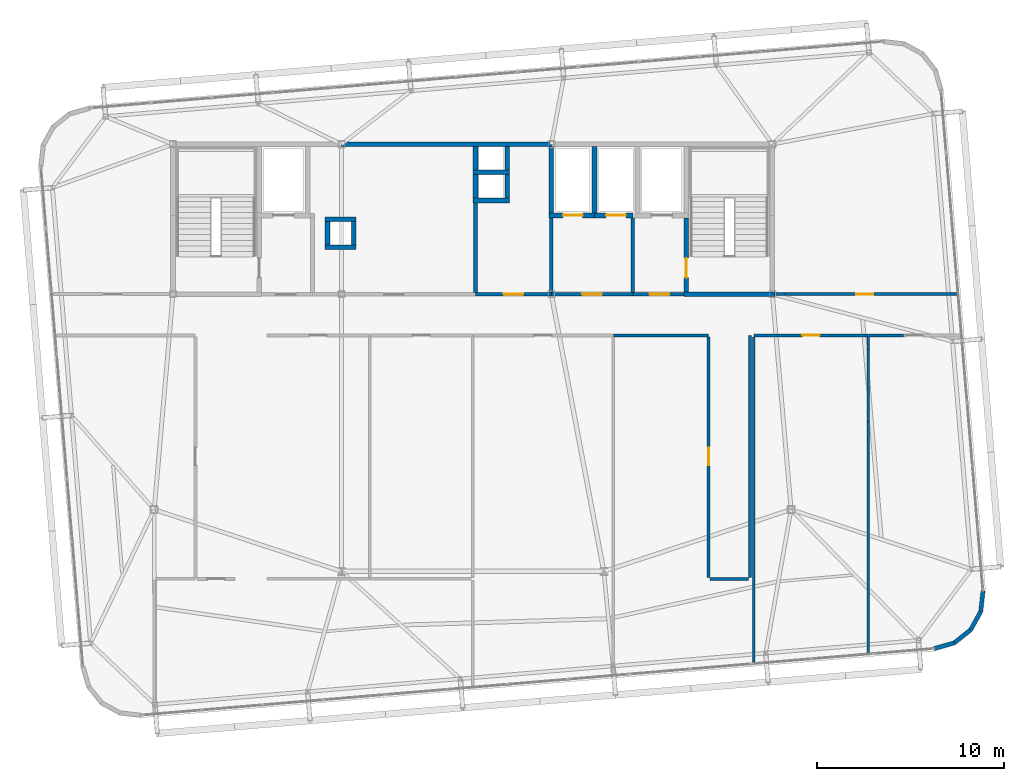
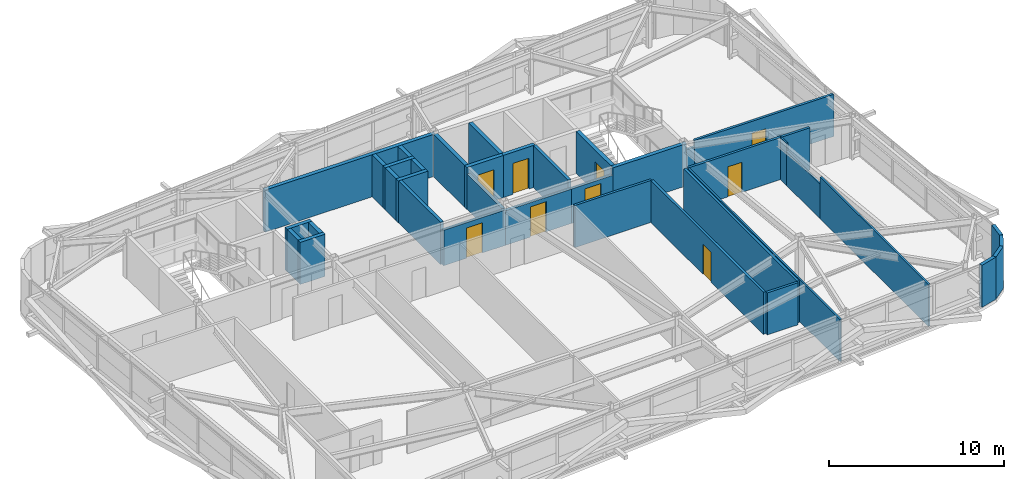
# One storey, part 43 of 46: 39 walls, 9 doors, 9 openings.
"""IFC4 building model written with IfcOpenShell, lengths in metres."""

import ifcopenshell
import ifcopenshell.guid

model = None  # the IFC model being written
_history = None  # IfcOwnerHistory: only IFC2X3 demands one
_inside = {}  # id of a spatial element -> (the spatial element, [elements in it])
_under = {}  # id of a project, library or spatial element -> (it, [spatial elements below it])
_declared = {}  # id of a project -> (the project, [libraries it declares])
_typed = {}  # id of a type object -> (the type object, [elements of that type])
_made_of = {}  # id of a material, layer set ... -> (it, [elements and type objects made of it])


def new_model(schema):
    """Start an empty IFC model of exactly this schema.

    Asked for "IFC4X3", IfcOpenShell would pick the latest addendum, in which some entities
    have other attributes; the version numbers below select the first issue.
    IFC2X3 requires an IfcOwnerHistory on every rooted entity: one is made here for all.
    """
    global model, _history
    if schema == "IFC4X3":
        model = ifcopenshell.file(schema_version=(4, 3, 0, 0))
    else:
        model = ifcopenshell.file(schema=schema)
    _inside.clear()
    _under.clear()
    _declared.clear()
    _typed.clear()
    _made_of.clear()
    _history = None
    if model.schema == "IFC2X3":
        org = make("IfcOrganization", Name="unknown")
        user = make(
            "IfcPersonAndOrganization",
            ThePerson=make("IfcPerson", FamilyName="unknown"),
            TheOrganization=org,
        )
        app = make(
            "IfcApplication",
            ApplicationDeveloper=org,
            Version="unknown",
            ApplicationFullName="unknown",
            ApplicationIdentifier="unknown",
        )
        _history = make(
            "IfcOwnerHistory",
            OwningUser=user,
            OwningApplication=app,
            ChangeAction="ADDED",
            CreationDate=0,
        )
    return model


def make(cls, **values):
    """One entity of the class cls with the attributes given. An attribute that is None is left unset."""
    return model.create_entity(
        cls, **{name: value for name, value in values.items() if value is not None}
    )


def rooted(cls, **values):
    """An entity with a GlobalId (a new one), such as an element, a storey or a relation."""
    return make(cls, GlobalId=ifcopenshell.guid.new(), OwnerHistory=_history, **values)


def si_unit(unit_type, name, prefix=None):
    """IfcSIUnit, for example si_unit("LENGTHUNIT", "METRE", prefix="MILLI")."""
    return make("IfcSIUnit", UnitType=unit_type, Prefix=prefix, Name=name)


def assignment(units):
    """IfcUnitAssignment: the units of a project."""
    return None if units is None else make("IfcUnitAssignment", Units=units)


def point(xyz):
    """IfcCartesianPoint."""
    return None if xyz is None else make("IfcCartesianPoint", Coordinates=xyz)


def direction(xyz):
    """IfcDirection."""
    return None if xyz is None else make("IfcDirection", DirectionRatios=xyz)


def frame(location, z_axis=None, x_axis=None):
    """IfcAxis2Placement3D, a coordinate frame: its origin and axes. An axis left out is left unset."""
    return make(
        "IfcAxis2Placement3D",
        Location=point(location),
        Axis=direction(z_axis),
        RefDirection=direction(x_axis),
    )


def frame_2d(location, x_axis=None):
    """IfcAxis2Placement2D, a coordinate frame in the plane: its origin and x axis."""
    return make(
        "IfcAxis2Placement2D", Location=point(location), RefDirection=direction(x_axis)
    )


def origin():
    """The frame at (0, 0, 0) with its axes left unset."""
    return frame((0.0, 0.0, 0.0))


def place(relative_to, where):
    """IfcLocalPlacement: puts the frame where relative to a parent placement (None: the world)."""
    return make(
        "IfcLocalPlacement", PlacementRelTo=relative_to, RelativePlacement=where
    )


def context(
    kind, dimensions, precision=None, world=None, true_north=None, identifier=None
):
    """IfcGeometricRepresentationContext, for example the 3D "Model" context."""
    return make(
        "IfcGeometricRepresentationContext",
        ContextIdentifier=identifier,
        ContextType=kind,
        CoordinateSpaceDimension=dimensions,
        Precision=precision,
        WorldCoordinateSystem=world,
        TrueNorth=true_north,
    )


def subcontext(parent, identifier, kind, view, scale=None):
    """IfcGeometricRepresentationSubContext, for example "Body" below "Model"."""
    return make(
        "IfcGeometricRepresentationSubContext",
        ContextIdentifier=identifier,
        ContextType=kind,
        ParentContext=parent,
        TargetScale=scale,
        TargetView=view,
    )


def project(units=None, contexts=None):
    """IfcProject with its units and contexts."""
    return rooted(
        "IfcProject",
        Name="project",
        RepresentationContexts=contexts,
        UnitsInContext=assignment(units),
    )


def spatial(cls, under=None, at=None, **own):
    """A site, building, storey or space (cls), placed at a placement, below another one or the project."""
    s = rooted(cls, ObjectPlacement=at, **own)
    if under is not None:
        _under.setdefault(under.id(), (under, []))[1].append(s)
    return s


def profile(cls, at=None, kind="AREA", **sizes):
    """A parametric profile (cls). Its sizes go by their IFC names, for example OverallWidth=200.0."""
    return make(cls, ProfileType=kind, Position=at, **sizes)


def rectangle(**sizes):
    """IfcRectangleProfileDef."""
    return profile("IfcRectangleProfileDef", **sizes)


def extrude(swept, where, along, depth):
    """IfcExtrudedAreaSolid: the profile swept, set in the frame where, extruded along a direction by depth."""
    return make(
        "IfcExtrudedAreaSolid",
        SweptArea=swept,
        Position=where,
        ExtrudedDirection=direction(along),
        Depth=depth,
    )


def shape(context_of_items, identifier, shape_type, items):
    """IfcShapeRepresentation: the items that make up one representation, for example the "Body"."""
    return make(
        "IfcShapeRepresentation",
        ContextOfItems=context_of_items,
        RepresentationIdentifier=identifier,
        RepresentationType=shape_type,
        Items=items,
    )


def source(mapping_origin, context_of_items, identifier, shape_type, items):
    """IfcRepresentationMap: a shape defined once, which mapped items show again and again."""
    return make(
        "IfcRepresentationMap",
        MappingOrigin=mapping_origin,
        MappedRepresentation=shape(context_of_items, identifier, shape_type, items),
    )


def transform(
    local_origin,
    x_axis=None,
    y_axis=None,
    z_axis=None,
    scale=None,
    scale2=None,
    scale3=None,
    uniform=True,
):
    """IfcCartesianTransformationOperator3D, or its non-uniform kind. x_axis, y_axis, z_axis: its Axis1, 2, 3."""
    if uniform:
        return make(
            "IfcCartesianTransformationOperator3D",
            Axis1=direction(x_axis),
            Axis2=direction(y_axis),
            LocalOrigin=point(local_origin),
            Scale=scale,
            Axis3=direction(z_axis),
        )
    return make(
        "IfcCartesianTransformationOperator3DnonUniform",
        Axis1=direction(x_axis),
        Axis2=direction(y_axis),
        LocalOrigin=point(local_origin),
        Scale=scale,
        Axis3=direction(z_axis),
        Scale2=scale2,
        Scale3=scale3,
    )


def mapped(mapping_source, mapping_target):
    """IfcMappedItem: shows the shape of a source again, moved by a transform."""
    return make(
        "IfcMappedItem", MappingSource=mapping_source, MappingTarget=mapping_target
    )


def material(Name=None, Category=None):
    """IfcMaterial."""
    return make("IfcMaterial", Name=Name, Category=Category)


def layer(
    of_material, thickness, ventilated=None, Name=None, Category=None, Priority=None
):
    """IfcMaterialLayer: one layer of a wall or slab, of a material (None: an air gap)."""
    return make(
        "IfcMaterialLayer",
        Material=of_material,
        LayerThickness=thickness,
        IsVentilated=ventilated,
        Name=Name,
        Category=Category,
        Priority=Priority,
    )


def layer_set(layers, Name=None):
    """IfcMaterialLayerSet."""
    return make("IfcMaterialLayerSet", MaterialLayers=layers, LayerSetName=Name)


def made_of(thing, what):
    """Note that an element or type object is made of a material, layer set ...; save() writes the relation."""
    if what is not None:
        _made_of.setdefault(what.id(), (what, []))[1].append(thing)
    return thing


def type_object(cls, material=None, **own):
    """A type object (cls), such as IfcWallType, which elements share."""
    return made_of(rooted(cls, **own), material)


def element(
    cls,
    number,
    at=None,
    inside=None,
    cuts=None,
    type_object=None,
    material=None,
    context=None,
    identifier="Body",
    shape_type=None,
    held_by="IfcProductDefinitionShape",
    body=None,
    shapes=None,
    **own,
):
    """One element of the class cls, such as IfcWall. Its Tag is "e" and its number.

    at: its placement. inside: the storey or other place that contains it. cuts: it is an
    opening in that element (IfcRelVoidsElement). A single representation is given by context,
    identifier, shape_type and body (its items); several are given by shapes. held_by: the class
    of the entity that holds the representations. save() writes the other relations.
    """
    e = rooted(cls, Tag="e%d" % number, ObjectPlacement=at, **own)
    if body is not None:
        shapes = [shape(context, identifier, shape_type, body)]
    if shapes is not None:
        e.Representation = make(held_by, Representations=shapes)
    if inside is not None:
        _inside.setdefault(inside.id(), (inside, []))[1].append(e)
    if cuts is not None:
        rooted(
            "IfcRelVoidsElement", RelatingBuildingElement=cuts, RelatedOpeningElement=e
        )
    if type_object is not None:
        _typed.setdefault(type_object.id(), (type_object, []))[1].append(e)
    return made_of(e, material)


def fill(opening, filler):
    """IfcRelFillsElement: the door or window that sits in an opening."""
    return rooted(
        "IfcRelFillsElement",
        RelatingOpeningElement=opening,
        RelatedBuildingElement=filler,
    )


def aggregate(whole, parts):
    """IfcRelAggregates: a whole, such as a stair, and the parts it consists of."""
    return rooted("IfcRelAggregates", RelatingObject=whole, RelatedObjects=parts)


def save(model, path):
    """Write the relations noted so far, then the file.

    IfcRelAggregates (storeys below a building ...), IfcRelContainedInSpatialStructure (elements
    in a storey), IfcRelDefinesByType, IfcRelAssociatesMaterial and IfcRelDeclares: one each for
    every whole, place, type object, material and project.
    """
    for whole, parts in _under.values():
        aggregate(whole, parts)
    for where, things in _inside.values():
        rooted(
            "IfcRelContainedInSpatialStructure",
            RelatedElements=things,
            RelatingStructure=where,
        )
    for kind, things in _typed.values():
        rooted("IfcRelDefinesByType", RelatedObjects=things, RelatingType=kind)
    for what, things in _made_of.values():
        rooted("IfcRelAssociatesMaterial", RelatedObjects=things, RelatingMaterial=what)
    for by, libraries in _declared.values():
        rooted("IfcRelDeclares", RelatingContext=by, RelatedDefinitions=libraries)
    model.write(path)


model = new_model("IFC4")

# Units and contexts
model_context = context("Model", 3, precision=1e-05, world=origin(), true_north=direction((0.0, 1.0)))
body_context = subcontext(model_context, "Body", "Model", "MODEL_VIEW")
ifc_project = project(units=[si_unit("LENGTHUNIT", "METRE"), si_unit("AREAUNIT", "SQUARE_METRE"), si_unit("VOLUMEUNIT", "CUBIC_METRE"), si_unit("PLANEANGLEUNIT", "RADIAN"), si_unit("MASSUNIT", "GRAM", prefix="KILO")], contexts=[model_context])

# Site, building, storey
site_placement = place(None, origin())
site = spatial("IfcSite", under=ifc_project, at=site_placement, CompositionType="ELEMENT")
building_placement = place(site_placement, origin())
building = spatial("IfcBuilding", under=site, at=building_placement, Name="Taldren Reach Tower", CompositionType="ELEMENT")
storey_placement = place(building_placement, frame((0.0, 0.0, 188.300048828125)))
storey = spatial("IfcBuildingStorey", under=building, at=storey_placement, Name="L57", CompositionType="ELEMENT", Elevation=188.300048828125)

# Walls
ifc_material_1 = material(Name="Pale Champagne Anodised Aluminium Cladding", Category="aluminium")
ifc_layer_1 = layer(ifc_material_1, 0.04, Name="Pale Champagne Anodised Aluminium Cladding", Category="aluminium")
ifc_material_2 = material(Name="Mineral Wool Acoustic Insulation", Category="insulation")
ifc_layer_2 = layer(ifc_material_2, 0.06, Name="Mineral Wool Acoustic Insulation", Category="insulation")
ifc_material_3 = material(Name="Steel Gr 350 (C350L0)", Category="steel")
ifc_layer_3 = layer(ifc_material_3, 0.12, Name="Steel Gr 350 (C350L0)", Category="steel")
ifc_layer_set_1 = layer_set([ifc_layer_1, ifc_layer_2, ifc_layer_3], Name="Pale Champagne Aluminium Cladding and Steel Gr 350 Stud Framing")
wall_type_1 = type_object("IfcWallType", Name="EW-CRN-220", PredefinedType="SOLIDWALL", material=ifc_layer_set_1)
shared_shape_1 = source(origin(), body_context, "Body", "SweptSolid", [
    extrude(rectangle(XDim=1.115966796875, YDim=0.219970703125, at=frame_2d((0.55810546875, 0.0))), origin(), (0.0, 0.0, 1.0), 2.929931640625),
])
for number, where, z_axis, x_axis, name in (
    (1, (59.635986328125, 5.0751953125, 0.0), (0.0, 0.0, 1.0), (0.961010464297, 0.276512002475, 0.0), "Rounded-corner pale-metal facade wall L57-SE1"),
    (2, (60.70849609375, 5.3837890625, 0.0), (0.0, 0.0, 1.0), (0.782147847222, 0.623092886403, 0.0), "Rounded-corner pale-metal facade wall L57-SE2"),
    (3, (61.581298828125, 6.0791015625, 0.0), (0.0, 0.0, 1.0), (0.483933071672, 0.875105012065, 0.0), "Rounded-corner pale-metal facade wall L57-SE3"),
    (4, (62.121337890625, 7.0556640625, 0.0), (0.0, 0.0, 1.0), (0.112448259968, 0.993657581277, 0.0), "Rounded-corner pale-metal facade wall L57-SE4"),
):
    element("IfcWall", number, at=place(storey_placement, frame(where, z_axis=z_axis, x_axis=x_axis)), inside=storey, type_object=wall_type_1, Name=name, PredefinedType="SOLIDWALL", context=body_context, shape_type="MappedRepresentation", body=[
        mapped(shared_shape_1, transform((0.0, 0.0, 0.0), scale=1.0)),
    ])

# Wall, opening, door
ifc_material_4 = material(Name="Concrete S50 (50 MPa)", Category="concrete")
ifc_layer_4 = layer(ifc_material_4, 0.199951171875)
ifc_layer_set_2 = layer_set([ifc_layer_4], Name="Concrete S50 (50 MPa)")
wall_type_2 = type_object("IfcWallType", Name="IW-CORE-200", PredefinedType="SOLIDWALL", material=ifc_layer_set_2)
shared_shape_2 = source(origin(), body_context, "Body", "SweptSolid", [
    extrude(rectangle(XDim=4.35009765625, YDim=0.199951171875, at=frame_2d((2.175048828125, 0.0))), origin(), (0.0, 0.0, 1.0), 2.39697265625),
])
wall_1_placement = place(storey_placement, frame((43.550048828125, 24.0, 0.0), z_axis=(0.0, 0.0, 1.0), x_axis=(-1.0, 0.0, 0.0)))
wall_1 = element("IfcWall", 5, at=wall_1_placement, inside=storey, type_object=wall_type_2, Name="Rear Core Shear Wall W-INT-L57-030", PredefinedType="SOLIDWALL", context=body_context, shape_type="MappedRepresentation", body=[
    mapped(shared_shape_2, transform((0.0, 0.0, 0.0), scale=1.0)),
])
shared_shape_3 = source(origin(), body_context, "Body", "SweptSolid", [
    extrude(rectangle(XDim=1.050048828125, YDim=2.10009765625, at=frame_2d((0.52490234375, 1.050048828125))), frame((0.0, 0.10986328125, 0.0), z_axis=(0.0, -1.0, 0.0), x_axis=(1.0, 0.0, 0.0)), (0.0, 0.0, 1.0), 0.219970703125),
])
opening_1_placement = place(wall_1_placement, frame((1.64990234375, 0.0, 0.0)))
opening_1 = element("IfcOpeningElement", 6, at=opening_1_placement, cuts=wall_1, Name="Opening DF-105", PredefinedType="OPENING", context=body_context, shape_type="MappedRepresentation", body=[
    mapped(shared_shape_3, transform((0.0, 0.0, 0.0), scale=1.0)),
])
ifc_material_5 = material(Name="Fire-Rated Care and Stair Exit Door")
door_type_1 = type_object("IfcDoorType", Name="ID-FIRE-105", OperationType="NOTDEFINED", PredefinedType="DOOR", material=ifc_material_5)
shared_shape_4 = source(origin(), body_context, "Body", "SweptSolid", [
    extrude(rectangle(XDim=1.050048828125, YDim=2.10009765625, at=frame_2d((0.52490234375, 1.050048828125))), frame((0.0, 0.02490234375, 0.0), z_axis=(0.0, -1.0, 0.0), x_axis=(1.0, 0.0, 0.0)), (0.0, 0.0, 1.0), 0.050048828125),
])
door_1_placement = place(opening_1_placement, frame((1.050048828125, 0.0, 0.0), z_axis=(0.0, 0.0, 1.0), x_axis=(-1.0, 0.0, 0.0)))
door_1 = element("IfcDoor", 7, at=door_1_placement, inside=storey, type_object=door_type_1, Name="Interior Door DR-L57-005", OperationType="SINGLE_SWING_LEFT", OverallHeight=2.10009765625, OverallWidth=1.050048828125, PredefinedType="DOOR", context=body_context, shape_type="MappedRepresentation", body=[
    mapped(shared_shape_4, transform((0.0, 0.0, 0.0), scale=1.0)),
])
fill(opening_1, door_1)

# Walls
ifc_material_6 = material(Name="Fire-Rated Acoustic Plasterboard Stud Wall", Category="gypsum")
ifc_layer_5 = layer(ifc_material_6, 0.159912109375)
ifc_layer_set_3 = layer_set([ifc_layer_5], Name="Fire-Rated Acoustic Plasterboard Stud Wall")
wall_type_3 = type_object("IfcWallType", Name="IW-FIRE-160", PredefinedType="PARTITIONING", material=ifc_layer_set_3)
shared_shape_5 = source(origin(), body_context, "Body", "SweptSolid", [
    extrude(rectangle(XDim=2.0400390625, YDim=0.159912109375, at=frame_2d((1.02001953125, 0.0))), origin(), (0.0, 0.0, 1.0), 2.929931640625),
])
wall_2_placement = place(storey_placement, frame((49.719970703125, 8.800048828125, 0.0), z_axis=(0.0, 0.0, 1.0), x_axis=(-1.0, 0.0, 0.0)))
element("IfcWall", 8, at=wall_2_placement, inside=storey, type_object=wall_type_3, Name="Interior Partition Wall W-INT-L57-045", PredefinedType="PARTITIONING", context=body_context, shape_type="MappedRepresentation", body=[
    mapped(shared_shape_5, transform((0.0, 0.0, 0.0), scale=1.0)),
])
shared_shape_6 = source(origin(), body_context, "Body", "SweptSolid", [
    extrude(rectangle(XDim=5.0595703125, YDim=0.159912109375, at=frame_2d((2.52978515625, 0.0))), origin(), (0.0, 0.0, 1.0), 2.929931640625),
])
wall_3_placement = place(storey_placement, frame((47.579833984375, 21.800048828125, 0.0), z_axis=(0.0, 0.0, 1.0), x_axis=(-1.0, 0.0, 0.0)))
element("IfcWall", 9, at=wall_3_placement, inside=storey, type_object=wall_type_3, Name="Interior Partition Wall W-INT-L57-044", PredefinedType="PARTITIONING", context=body_context, shape_type="MappedRepresentation", body=[
    mapped(shared_shape_6, transform((0.0, 0.0, 0.0), scale=1.0)),
])
ifc_material_7 = material(Name="Concrete S65 (65 MPa)", Category="concrete")
ifc_layer_6 = layer(ifc_material_7, 0.25)
ifc_layer_set_4 = layer_set([ifc_layer_6], Name="Concrete S65 (65 MPa)")
wall_type_4 = type_object("IfcWallType", Name="IW-CORE-250", PredefinedType="SHEAR", material=ifc_layer_set_4)
shared_shape_7 = source(origin(), body_context, "Body", "SweptSolid", [
    extrude(rectangle(XDim=11.199951171875, YDim=0.25, at=frame_2d((5.60009765625, 0.0))), origin(), (0.0, 0.0, 1.0), 2.929931640625),
])
wall_4_placement = place(storey_placement, frame((28.0, 32.0, 0.0), z_axis=(0.0, 0.0, 1.0), x_axis=(1.0, 0.0, 0.0)))
element("IfcWall", 10, at=wall_4_placement, inside=storey, type_object=wall_type_4, Name="Rear Core Shear Wall W-CORE-L57-NORTH2", PredefinedType="SHEAR", context=body_context, shape_type="MappedRepresentation", body=[
    mapped(shared_shape_7, transform((0.0, 0.0, 0.0), scale=1.0)),
])
shared_shape_8 = source(origin(), body_context, "Body", "SweptSolid", [
    extrude(rectangle(XDim=3.550048828125, YDim=0.25, at=frame_2d((1.77490234375, 0.0))), origin(), (0.0, 0.0, 1.0), 2.929931640625),
])
for number, where, z_axis, x_axis, name in (
    (11, (41.5, 28.324951171875, 0.0), (0.0, 0.0, 1.0), (0.0, 1.0, 0.0), "Rear Core Shear Wall W-INT-L57-025"),
    (12, (39.199951171875, 31.875, 0.0), (0.0, 0.0, 1.0), (0.0, -1.0, 0.0), "Rear Core Shear Wall W-INT-L57-027"),
):
    element("IfcWall", number, at=place(storey_placement, frame(where, z_axis=z_axis, x_axis=x_axis)), inside=storey, type_object=wall_type_4, Name=name, PredefinedType="SHEAR", context=body_context, shape_type="MappedRepresentation", body=[
        mapped(shared_shape_8, transform((0.0, 0.0, 0.0), scale=1.0)),
    ])

# Wall, opening, door
shared_shape_9 = source(origin(), body_context, "Body", "SweptSolid", [
    extrude(rectangle(XDim=3.949951171875, YDim=0.25, at=frame_2d((1.97509765625, 0.0))), origin(), (0.0, 0.0, 1.0), 2.929931640625),
])
wall_5_placement = place(storey_placement, frame((46.39990234375, 28.074951171875, 0.0), z_axis=(0.0, 0.0, 1.0), x_axis=(0.0, -1.0, 0.0)))
wall_5 = element("IfcWall", 13, at=wall_5_placement, inside=storey, type_object=wall_type_4, Name="Rear Core Shear Wall W-INT-L57-009", PredefinedType="SHEAR", context=body_context, shape_type="MappedRepresentation", body=[
    mapped(shared_shape_9, transform((0.0, 0.0, 0.0), scale=1.0)),
])
shared_shape_10 = source(origin(), body_context, "Body", "SweptSolid", [
    extrude(rectangle(XDim=1.050048828125, YDim=2.10009765625, at=frame_2d((0.52490234375, 1.050048828125))), frame((0.0, 0.135009765625, 0.0), z_axis=(0.0, -1.0, 0.0), x_axis=(1.0, 0.0, 0.0)), (0.0, 0.0, 1.0), 0.27001953125),
])
opening_2_placement = place(wall_5_placement, frame((2.14990234375, 0.0, 0.0)))
opening_2 = element("IfcOpeningElement", 14, at=opening_2_placement, cuts=wall_5, Name="Opening DF-105", PredefinedType="OPENING", context=body_context, shape_type="MappedRepresentation", body=[
    mapped(shared_shape_10, transform((0.0, 0.0, 0.0), scale=1.0)),
])
door_2_placement = place(opening_2_placement, origin())
door_2 = element("IfcDoor", 15, at=door_2_placement, inside=storey, type_object=door_type_1, Name="Fire Exit Stair Door DR-L57-003", OperationType="SINGLE_SWING_RIGHT", OverallHeight=2.10009765625, OverallWidth=1.050048828125, PredefinedType="DOOR", context=body_context, shape_type="MappedRepresentation", body=[
    mapped(shared_shape_4, transform((0.0, 0.0, 0.0), scale=1.0)),
])
fill(opening_2, door_2)

# Walls
shared_shape_11 = source(origin(), body_context, "Body", "SweptSolid", [
    extrude(rectangle(XDim=4.85009765625, YDim=0.25, at=frame_2d((2.425048828125, 0.0))), origin(), (0.0, 0.0, 1.0), 2.929931640625),
])
wall_6_placement = place(storey_placement, frame((46.27490234375, 24.0, 0.0), z_axis=(0.0, 0.0, 1.0), x_axis=(1.0, 0.0, 0.0)))
element("IfcWall", 16, at=wall_6_placement, inside=storey, type_object=wall_type_4, Name="Rear Core Shear Wall W-INT-L57-010", PredefinedType="SHEAR", context=body_context, shape_type="MappedRepresentation", body=[
    mapped(shared_shape_11, transform((0.0, 0.0, 0.0), scale=1.0)),
])
shared_shape_12 = source(origin(), body_context, "Body", "SweptSolid", [
    extrude(rectangle(XDim=3.974853515625, YDim=0.199951171875, at=frame_2d((1.9873046875, 0.0))), origin(), (0.0, 0.0, 1.0), 2.929931640625),
])
wall_7_placement = place(storey_placement, frame((43.550048828125, 28.074951171875, 0.0), z_axis=(0.0, 0.0, 1.0), x_axis=(0.0, -1.0, 0.0)))
element("IfcWall", 17, at=wall_7_placement, inside=storey, type_object=wall_type_2, Name="Rear Core Shear Wall W-INT-L57-013", PredefinedType="SOLIDWALL", context=body_context, shape_type="MappedRepresentation", body=[
    mapped(shared_shape_12, transform((0.0, 0.0, 0.0), scale=1.0)),
])

# Wall, opening, door
shared_shape_13 = source(origin(), body_context, "Body", "SweptSolid", [
    extrude(rectangle(XDim=2.724853515625, YDim=0.199951171875, at=frame_2d((1.3623046875, 0.0))), origin(), (0.0, 0.0, 1.0), 2.39697265625),
])
wall_8_placement = place(storey_placement, frame((43.550048828125, 24.0, 0.0), z_axis=(0.0, 0.0, 1.0), x_axis=(1.0, 0.0, 0.0)))
wall_8 = element("IfcWall", 18, at=wall_8_placement, inside=storey, type_object=wall_type_2, Name="Rear Core Shear Wall W-INT-L57-014", PredefinedType="SOLIDWALL", context=body_context, shape_type="MappedRepresentation", body=[
    mapped(shared_shape_13, transform((0.0, 0.0, 0.0), scale=1.0)),
])
opening_3_placement = place(wall_8_placement, frame((0.89990234375, 0.0, 0.0)))
opening_3 = element("IfcOpeningElement", 19, at=opening_3_placement, cuts=wall_8, Name="Opening DF-105", PredefinedType="OPENING", context=body_context, shape_type="MappedRepresentation", body=[
    mapped(shared_shape_3, transform((0.0, 0.0, 0.0), scale=1.0)),
])
door_3_placement = place(opening_3_placement, origin())
door_3 = element("IfcDoor", 20, at=door_3_placement, inside=storey, type_object=door_type_1, Name="Interior Door DR-L57-004", OperationType="SINGLE_SWING_LEFT", OverallHeight=2.10009765625, OverallWidth=1.050048828125, PredefinedType="DOOR", context=body_context, shape_type="MappedRepresentation", body=[
    mapped(shared_shape_4, transform((0.0, 0.0, 0.0), scale=1.0)),
])
fill(opening_3, door_3)

# Walls
shared_shape_14 = source(origin(), body_context, "Body", "SweptSolid", [
    extrude(rectangle(XDim=1.9501953125, YDim=0.25, at=frame_2d((0.97509765625, 0.0))), origin(), (0.0, 0.0, 1.0), 2.929931640625),
])
for number, where, z_axis, x_axis, name in (
    (21, (35.02490234375, 30.5, 0.0), (0.0, 0.0, 1.0), (1.0, 0.0, 0.0), "Rear Core Shear Wall W-INT-L57-015"),
    (22, (35.02490234375, 29.0, 0.0), (0.0, 0.0, 1.0), (1.0, 0.0, 0.0), "Rear Core Shear Wall W-INT-L57-019"),
):
    element("IfcWall", number, at=place(storey_placement, frame(where, z_axis=z_axis, x_axis=x_axis)), inside=storey, type_object=wall_type_4, Name=name, PredefinedType="SHEAR", context=body_context, shape_type="MappedRepresentation", body=[
        mapped(shared_shape_14, transform((0.0, 0.0, 0.0), scale=1.0)),
    ])
shared_shape_15 = source(origin(), body_context, "Body", "SweptSolid", [
    extrude(rectangle(XDim=1.25, YDim=0.25, at=frame_2d((0.625, 0.0))), origin(), (0.0, 0.0, 1.0), 2.929931640625),
])
for number, where, z_axis, x_axis, name in (
    (23, (35.14990234375, 31.875, 0.0), (0.0, 0.0, 1.0), (0.0, -1.0, 0.0), "Rear Core Shear Wall W-INT-L57-016"),
    (24, (36.85009765625, 30.625, 0.0), (0.0, 0.0, 1.0), (0.0, 1.0, 0.0), "Rear Core Shear Wall W-INT-L57-017"),
    (25, (35.14990234375, 30.375, 0.0), (0.0, 0.0, 1.0), (0.0, -1.0, 0.0), "Rear Core Shear Wall W-INT-L57-018"),
    (26, (36.85009765625, 29.125, 0.0), (0.0, 0.0, 1.0), (0.0, 1.0, 0.0), "Rear Core Shear Wall W-INT-L57-020"),
    (27, (28.64990234375, 26.625, 0.0), (0.0, 0.0, 1.0), (0.0, 1.0, 0.0), "Rear Core Shear Wall W-INT-L57-021"),
    (28, (27.25, 27.875, 0.0), (0.0, 0.0, 1.0), (0.0, -1.0, 0.0), "Rear Core Shear Wall W-INT-L57-022"),
):
    element("IfcWall", number, at=place(storey_placement, frame(where, z_axis=z_axis, x_axis=x_axis)), inside=storey, type_object=wall_type_4, Name=name, PredefinedType="SHEAR", context=body_context, shape_type="MappedRepresentation", body=[
        mapped(shared_shape_15, transform((0.0, 0.0, 0.0), scale=1.0)),
    ])
shared_shape_16 = source(origin(), body_context, "Body", "SweptSolid", [
    extrude(rectangle(XDim=1.64990234375, YDim=0.25, at=frame_2d((0.824951171875, 0.0))), origin(), (0.0, 0.0, 1.0), 2.929931640625),
])
for number, where, z_axis, x_axis, name in (
    (29, (28.77490234375, 28.0, 0.0), (0.0, 0.0, 1.0), (-1.0, 0.0, 0.0), "Rear Core Shear Wall W-INT-L57-023"),
    (30, (27.125, 26.5, 0.0), (0.0, 0.0, 1.0), (1.0, 0.0, 0.0), "Rear Core Shear Wall W-INT-L57-024"),
):
    element("IfcWall", number, at=place(storey_placement, frame(where, z_axis=z_axis, x_axis=x_axis)), inside=storey, type_object=wall_type_4, Name=name, PredefinedType="SHEAR", context=body_context, shape_type="MappedRepresentation", body=[
        mapped(shared_shape_16, transform((0.0, 0.0, 0.0), scale=1.0)),
    ])

# Wall, opening, door
shared_shape_17 = source(origin(), body_context, "Body", "SweptSolid", [
    extrude(rectangle(XDim=2.425048828125, YDim=0.25, at=frame_2d((1.21240234375, 0.0))), origin(), (0.0, 0.0, 1.0), 2.929931640625),
])
wall_9_placement = place(storey_placement, frame((39.074951171875, 28.199951171875, 0.0), z_axis=(0.0, 0.0, 1.0), x_axis=(1.0, 0.0, 0.0)))
wall_9 = element("IfcWall", 31, at=wall_9_placement, inside=storey, type_object=wall_type_4, Name="Rear Core Shear Wall W-INT-L57-026", PredefinedType="SHEAR", context=body_context, shape_type="MappedRepresentation", body=[
    mapped(shared_shape_17, transform((0.0, 0.0, 0.0), scale=1.0)),
])
shared_shape_18 = source(origin(), body_context, "Body", "SweptSolid", [
    extrude(rectangle(XDim=1.050048828125, YDim=2.14990234375, at=frame_2d((0.52490234375, 1.074951171875))), frame((0.0, 0.135009765625, 0.0), z_axis=(0.0, -1.0, 0.0), x_axis=(1.0, 0.0, 0.0)), (0.0, 0.0, 1.0), 0.27001953125),
])
opening_4_placement = place(wall_9_placement, frame((0.75, 0.0, 0.0)))
opening_4 = element("IfcOpeningElement", 32, at=opening_4_placement, cuts=wall_9, Name="Opening LD-PH1", PredefinedType="OPENING", context=body_context, shape_type="MappedRepresentation", body=[
    mapped(shared_shape_18, transform((0.0, 0.0, 0.0), scale=1.0)),
])
ifc_material_8 = material(Name="Stainless Steel Gr 316 Passenger Lift Landing Door", Category="steel")
door_type_2 = type_object("IfcDoorType", Name="LD-PAS-105", OperationType="SLIDING_TO_LEFT", PredefinedType="DOOR", material=ifc_material_8)
shared_shape_19 = source(origin(), body_context, "Body", "SweptSolid", [
    extrude(rectangle(XDim=1.050048828125, YDim=2.14990234375, at=frame_2d((0.52490234375, 1.074951171875))), frame((0.0, 0.02490234375, 0.0), z_axis=(0.0, -1.0, 0.0), x_axis=(1.0, 0.0, 0.0)), (0.0, 0.0, 1.0), 0.050048828125),
])
door_4_placement = place(opening_4_placement, origin())
door_4 = element("IfcDoor", 33, at=door_4_placement, inside=storey, type_object=door_type_2, Name="Lift Landing Door LD-PH1-L57", OperationType="SLIDING_TO_LEFT", OverallHeight=2.14990234375, OverallWidth=1.050048828125, PredefinedType="DOOR", context=body_context, shape_type="MappedRepresentation", body=[
    mapped(shared_shape_19, transform((0.0, 0.0, 0.0), scale=1.0)),
])
fill(opening_4, door_4)

shared_shape_20 = source(origin(), body_context, "Body", "SweptSolid", [
    extrude(rectangle(XDim=2.070068359375, YDim=0.25, at=frame_2d((1.03515625, 0.0))), origin(), (0.0, 0.0, 1.0), 2.929931640625),
])
wall_10_placement = place(storey_placement, frame((41.5, 28.199951171875, 0.0), z_axis=(0.0, 0.0, 1.0), x_axis=(1.0, 0.0, 0.0)))
wall_10 = element("IfcWall", 34, at=wall_10_placement, inside=storey, type_object=wall_type_4, Name="Rear Core Shear Wall W-INT-L57-028", PredefinedType="SHEAR", context=body_context, shape_type="MappedRepresentation", body=[
    mapped(shared_shape_20, transform((0.0, 0.0, 0.0), scale=1.0)),
])
opening_5_placement = place(wall_10_placement, frame((0.625, 0.0, 0.0)))
opening_5 = element("IfcOpeningElement", 35, at=opening_5_placement, cuts=wall_10, Name="Opening LD-PH2", PredefinedType="OPENING", context=body_context, shape_type="MappedRepresentation", body=[
    mapped(shared_shape_18, transform((0.0, 0.0, 0.0), scale=1.0)),
])
door_5_placement = place(opening_5_placement, origin())
door_5 = element("IfcDoor", 36, at=door_5_placement, inside=storey, type_object=door_type_2, Name="Lift Landing Door LD-PH2-L57", OperationType="SLIDING_TO_LEFT", OverallHeight=2.14990234375, OverallWidth=1.050048828125, PredefinedType="DOOR", context=body_context, shape_type="MappedRepresentation", body=[
    mapped(shared_shape_19, transform((0.0, 0.0, 0.0), scale=1.0)),
])
fill(opening_5, door_5)

shared_shape_21 = source(origin(), body_context, "Body", "SweptSolid", [
    extrude(rectangle(XDim=4.050048828125, YDim=0.199951171875, at=frame_2d((2.02490234375, 0.0))), origin(), (0.0, 0.0, 1.0), 2.469970703125),
])
wall_11_placement = place(storey_placement, frame((39.199951171875, 24.0, 0.0), z_axis=(0.0, 0.0, 1.0), x_axis=(-1.0, 0.0, 0.0)))
wall_11 = element("IfcWall", 37, at=wall_11_placement, inside=storey, type_object=wall_type_2, Name="Rear Core Shear Wall W-INT-L57-033", PredefinedType="SOLIDWALL", context=body_context, shape_type="MappedRepresentation", body=[
    mapped(shared_shape_21, transform((0.0, 0.0, 0.0), scale=1.0)),
])
opening_6_placement = place(wall_11_placement, frame((1.5, 0.0, 0.0)))
opening_6 = element("IfcOpeningElement", 38, at=opening_6_placement, cuts=wall_11, Name="Opening DF-105", PredefinedType="OPENING", context=body_context, shape_type="MappedRepresentation", body=[
    mapped(shared_shape_3, transform((0.0, 0.0, 0.0), scale=1.0)),
])
door_6_placement = place(opening_6_placement, frame((1.050048828125, 0.0, 0.0), z_axis=(0.0, 0.0, 1.0), x_axis=(-1.0, 0.0, 0.0)))
door_6 = element("IfcDoor", 39, at=door_6_placement, inside=storey, type_object=door_type_1, Name="Interior Door DR-L57-007", OperationType="SINGLE_SWING_LEFT", OverallHeight=2.10009765625, OverallWidth=1.050048828125, PredefinedType="DOOR", context=body_context, shape_type="MappedRepresentation", body=[
    mapped(shared_shape_4, transform((0.0, 0.0, 0.0), scale=1.0)),
])
fill(opening_6, door_6)

shared_shape_22 = source(origin(), body_context, "Body", "SweptSolid", [
    extrude(rectangle(XDim=12.840087890625, YDim=0.159912109375, at=frame_2d((6.419921875, 0.0))), origin(), (0.0, 0.0, 1.0), 2.929931640625),
])
wall_12_placement = place(storey_placement, frame((47.60009765625, 8.8798828125, 0.0), z_axis=(0.0, 0.0, 1.0), x_axis=(0.0, 1.0, 0.0)))
wall_12 = element("IfcWall", 40, at=wall_12_placement, inside=storey, type_object=wall_type_3, Name="Interior Partition Wall W-INT-L57-042", PredefinedType="PARTITIONING", context=body_context, shape_type="MappedRepresentation", body=[
    mapped(shared_shape_22, transform((0.0, 0.0, 0.0), scale=1.0)),
])
shared_shape_23 = source(origin(), body_context, "Body", "SweptSolid", [
    extrude(rectangle(XDim=0.919921875, YDim=2.10009765625, at=frame_2d((0.4599609375, 1.050048828125))), frame((0.0, 0.08984375, 0.0), z_axis=(0.0, -1.0, 0.0), x_axis=(1.0, 0.0, 0.0)), (0.0, 0.0, 1.0), 0.179931640625),
])
opening_7_placement = place(wall_12_placement, frame((5.989990234375, 0.0, 0.0)))
opening_7 = element("IfcOpeningElement", 41, at=opening_7_placement, cuts=wall_12, Name="Opening DI-092", PredefinedType="OPENING", context=body_context, shape_type="MappedRepresentation", body=[
    mapped(shared_shape_23, transform((0.0, 0.0, 0.0), scale=1.0)),
])
ifc_material_9 = material(Name="Solid-Core Timber Suite Door", Category="wood")
door_type_3 = type_object("IfcDoorType", Name="ID-INT-092", OperationType="NOTDEFINED", PredefinedType="DOOR", material=ifc_material_9)
shared_shape_24 = source(origin(), body_context, "Body", "SweptSolid", [
    extrude(rectangle(XDim=0.919921875, YDim=2.10009765625, at=frame_2d((0.4599609375, 1.050048828125))), frame((0.0, 0.02490234375, 0.0), z_axis=(0.0, -1.0, 0.0), x_axis=(1.0, 0.0, 0.0)), (0.0, 0.0, 1.0), 0.050048828125),
])
door_7_placement = place(opening_7_placement, origin())
door_7 = element("IfcDoor", 42, at=door_7_placement, inside=storey, type_object=door_type_3, Name="Interior Door DR-L57-015", OperationType="SINGLE_SWING_RIGHT", OverallHeight=2.10009765625, OverallWidth=0.919921875, PredefinedType="DOOR", context=body_context, shape_type="MappedRepresentation", body=[
    mapped(shared_shape_24, transform((0.0, 0.0, 0.0), scale=1.0)),
])
fill(opening_7, door_7)

# Wall
shared_shape_25 = source(origin(), body_context, "Body", "SweptSolid", [
    extrude(rectangle(XDim=0.5556640625, YDim=0.159912109375, at=frame_2d((0.27783203125, 0.0))), origin(), (0.0, 0.0, 1.0), 2.469970703125),
])
wall_13_placement = place(storey_placement, frame((51.125, 24.0, 0.0), z_axis=(0.0, 0.0, 1.0), x_axis=(1.0, 0.0, 0.0)))
element("IfcWall", 43, at=wall_13_placement, inside=storey, type_object=wall_type_3, Name="Interior Partition Wall W-INT-L57-040", PredefinedType="PARTITIONING", context=body_context, shape_type="MappedRepresentation", body=[
    mapped(shared_shape_25, transform((0.0, 0.0, 0.0), scale=1.0)),
])

# Wall, opening, door
shared_shape_26 = source(origin(), body_context, "Body", "SweptSolid", [
    extrude(rectangle(XDim=9.15283203125, YDim=0.159912109375, at=frame_2d((4.576416015625, 0.0))), origin(), (0.0, 0.0, 1.0), 2.929931640625),
])
wall_14_placement = place(storey_placement, frame((51.6806640625, 24.0, 0.0), z_axis=(0.0, 0.0, 1.0), x_axis=(1.0, 0.0, 0.0)))
wall_14 = element("IfcWall", 44, at=wall_14_placement, inside=storey, type_object=wall_type_3, Name="Interior Partition Wall W-INT-L57-040 part 2", PredefinedType="PARTITIONING", context=body_context, shape_type="MappedRepresentation", body=[
    mapped(shared_shape_26, transform((0.0, 0.0, 0.0), scale=1.0)),
])
opening_8_placement = place(wall_14_placement, frame((3.7861328125, 0.0, 0.0)))
opening_8 = element("IfcOpeningElement", 45, at=opening_8_placement, cuts=wall_14, Name="Opening DI-092", PredefinedType="OPENING", context=body_context, shape_type="MappedRepresentation", body=[
    mapped(shared_shape_23, transform((0.0, 0.0, 0.0), scale=1.0)),
])
door_8_placement = place(opening_8_placement, origin())
door_8 = element("IfcDoor", 46, at=door_8_placement, inside=storey, type_object=door_type_3, Name="Interior Door DR-L57-013", OperationType="SINGLE_SWING_RIGHT", OverallHeight=2.10009765625, OverallWidth=0.919921875, PredefinedType="DOOR", context=body_context, shape_type="MappedRepresentation", body=[
    mapped(shared_shape_24, transform((0.0, 0.0, 0.0), scale=1.0)),
])
fill(opening_8, door_8)

# Walls
shared_shape_27 = source(origin(), body_context, "Body", "SweptSolid", [
    extrude(rectangle(XDim=3.974853515625, YDim=0.199951171875, at=frame_2d((1.9873046875, 0.0))), origin(), (0.0, 0.0, 1.0), 2.469970703125),
])
wall_15_placement = place(storey_placement, frame((39.199951171875, 24.10009765625, 0.0), z_axis=(0.0, 0.0, 1.0), x_axis=(0.0, 1.0, 0.0)))
element("IfcWall", 47, at=wall_15_placement, inside=storey, type_object=wall_type_2, Name="Rear Core Shear Wall W-INT-L57-029", PredefinedType="SOLIDWALL", context=body_context, shape_type="MappedRepresentation", body=[
    mapped(shared_shape_27, transform((0.0, 0.0, 0.0), scale=1.0)),
])
shared_shape_28 = source(origin(), body_context, "Body", "SweptSolid", [
    extrude(rectangle(XDim=4.77490234375, YDim=0.199951171875, at=frame_2d((2.387451171875, 0.0))), origin(), (0.0, 0.0, 1.0), 2.929931640625),
])
wall_16_placement = place(storey_placement, frame((35.14990234375, 28.875, 0.0), z_axis=(0.0, 0.0, 1.0), x_axis=(0.0, -1.0, 0.0)))
element("IfcWall", 48, at=wall_16_placement, inside=storey, type_object=wall_type_2, Name="Rear Core Shear Wall W-INT-L57-031", PredefinedType="SOLIDWALL", context=body_context, shape_type="MappedRepresentation", body=[
    mapped(shared_shape_28, transform((0.0, 0.0, 0.0), scale=1.0)),
])
shared_shape_29 = source(origin(), body_context, "Body", "SweptSolid", [
    extrude(rectangle(XDim=12.89990234375, YDim=0.159912109375, at=frame_2d((6.449951171875, 0.0))), origin(), (0.0, 0.0, 1.0), 2.929931640625),
])
wall_17_placement = place(storey_placement, frame((49.800048828125, 21.77978515625, 0.0), z_axis=(0.0, 0.0, 1.0), x_axis=(0.0, -1.0, 0.0)))
element("IfcWall", 49, at=wall_17_placement, inside=storey, type_object=wall_type_3, Name="Interior Partition Wall W-INT-L57-043", PredefinedType="PARTITIONING", context=body_context, shape_type="MappedRepresentation", body=[
    mapped(shared_shape_29, transform((0.0, 0.0, 0.0), scale=1.0)),
])

# Wall, opening, door
shared_shape_30 = source(origin(), body_context, "Body", "SweptSolid", [
    extrude(rectangle(XDim=6.0771484375, YDim=0.159912109375, at=frame_2d((3.03857421875, 0.0))), origin(), (0.0, 0.0, 1.0), 2.929931640625),
])
wall_18_placement = place(storey_placement, frame((56.097412109375, 21.800048828125, 0.0), z_axis=(0.0, 0.0, 1.0), x_axis=(-1.0, 0.0, 0.0)))
wall_18 = element("IfcWall", 50, at=wall_18_placement, inside=storey, type_object=wall_type_3, Name="Interior Partition Wall W-INT-L57-046", PredefinedType="PARTITIONING", context=body_context, shape_type="MappedRepresentation", body=[
    mapped(shared_shape_30, transform((0.0, 0.0, 0.0), scale=1.0)),
])
opening_9_placement = place(wall_18_placement, frame((2.57861328125, 0.0, 0.0)))
opening_9 = element("IfcOpeningElement", 51, at=opening_9_placement, cuts=wall_18, Name="Opening DI-092", PredefinedType="OPENING", context=body_context, shape_type="MappedRepresentation", body=[
    mapped(shared_shape_23, transform((0.0, 0.0, 0.0), scale=1.0)),
])
door_9_placement = place(opening_9_placement, origin())
door_9 = element("IfcDoor", 52, at=door_9_placement, inside=storey, type_object=door_type_3, Name="Interior Door DR-L57-016", OperationType="SINGLE_SWING_LEFT", OverallHeight=2.10009765625, OverallWidth=0.919921875, PredefinedType="DOOR", context=body_context, shape_type="MappedRepresentation", body=[
    mapped(shared_shape_24, transform((0.0, 0.0, 0.0), scale=1.0)),
])
fill(opening_9, door_9)

# Walls
shared_shape_31 = source(origin(), body_context, "Body", "SweptSolid", [
    extrude(rectangle(XDim=1.87353515625, YDim=0.159912109375, at=frame_2d((0.936767578125, 0.0))), origin(), (0.0, 0.0, 1.0), 2.929931640625),
])
wall_19_placement = place(storey_placement, frame((58.01123046875, 21.800048828125, 0.0), z_axis=(0.0, 0.0, 1.0), x_axis=(-1.0, 0.0, 0.0)))
element("IfcWall", 53, at=wall_19_placement, inside=storey, type_object=wall_type_3, Name="Interior Partition Wall W-INT-L57-047 part 3", PredefinedType="PARTITIONING", context=body_context, shape_type="MappedRepresentation", body=[
    mapped(shared_shape_31, transform((0.0, 0.0, 0.0), scale=1.0)),
])
ifc_material_10 = material(Name="Insulated Residential Stud Partition", Category="gypsum")
ifc_layer_7 = layer(ifc_material_10, 0.1201171875)
ifc_layer_set_5 = layer_set([ifc_layer_7], Name="Insulated Residential Stud Partition")
wall_type_5 = type_object("IfcWallType", Name="IW-PART-120", PredefinedType="PARTITIONING", material=ifc_layer_set_5)
shared_shape_32 = source(origin(), body_context, "Body", "SweptSolid", [
    extrude(rectangle(XDim=17.370361328125, YDim=0.1201171875, at=frame_2d((8.68505859375, 0.0))), origin(), (0.0, 0.0, 1.0), 2.929931640625),
])
wall_20_placement = place(storey_placement, frame((50.0, 21.719970703125, 0.0), z_axis=(0.0, 0.0, 1.0), x_axis=(0.0, -1.0, 0.0)))
element("IfcWall", 54, at=wall_20_placement, inside=storey, type_object=wall_type_5, Name="Interior Partition Wall W-INT-L57-056", PredefinedType="PARTITIONING", context=body_context, shape_type="MappedRepresentation", body=[
    mapped(shared_shape_32, transform((0.0, 0.0, 0.0), scale=1.0)),
])
shared_shape_33 = source(origin(), body_context, "Body", "SweptSolid", [
    extrude(rectangle(XDim=0.66943359375, YDim=0.1201171875, at=frame_2d((0.334716796875, 0.0))), origin(), (0.0, 0.0, 1.0), 2.929931640625),
])
wall_21_placement = place(storey_placement, frame((56.11767578125, 21.719970703125, 0.0), z_axis=(0.0, 0.0, 1.0), x_axis=(0.0, -1.0, 0.0)))
element("IfcWall", 55, at=wall_21_placement, inside=storey, type_object=wall_type_5, Name="Interior Partition Wall W-INT-L57-057", PredefinedType="PARTITIONING", context=body_context, shape_type="MappedRepresentation", body=[
    mapped(shared_shape_33, transform((0.0, 0.0, 0.0), scale=1.0)),
])
shared_shape_34 = source(origin(), body_context, "Body", "SweptSolid", [
    extrude(rectangle(XDim=3.8603515625, YDim=0.1201171875, at=frame_2d((1.93017578125, 0.0))), origin(), (0.0, 0.0, 1.0), 2.39697265625),
])
wall_22_placement = place(storey_placement, frame((56.11767578125, 21.050537109375, 0.0), z_axis=(0.0, 0.0, 1.0), x_axis=(0.0, -1.0, 0.0)))
element("IfcWall", 56, at=wall_22_placement, inside=storey, type_object=wall_type_5, Name="Interior Partition Wall W-INT-L57-057 part 2", PredefinedType="PARTITIONING", context=body_context, shape_type="MappedRepresentation", body=[
    mapped(shared_shape_34, transform((0.0, 0.0, 0.0), scale=1.0)),
])
shared_shape_35 = source(origin(), body_context, "Body", "SweptSolid", [
    extrude(rectangle(XDim=12.326904296875, YDim=0.1201171875, at=frame_2d((6.16357421875, 0.0))), origin(), (0.0, 0.0, 1.0), 2.929931640625),
])
wall_23_placement = place(storey_placement, frame((56.11767578125, 17.190185546875, 0.0), z_axis=(0.0, 0.0, 1.0), x_axis=(0.0, -1.0, 0.0)))
element("IfcWall", 57, at=wall_23_placement, inside=storey, type_object=wall_type_5, Name="Interior Partition Wall W-INT-L57-057 part 3", PredefinedType="PARTITIONING", context=body_context, shape_type="MappedRepresentation", body=[
    mapped(shared_shape_35, transform((0.0, 0.0, 0.0), scale=1.0)),
])

save(model, "model.ifc")
